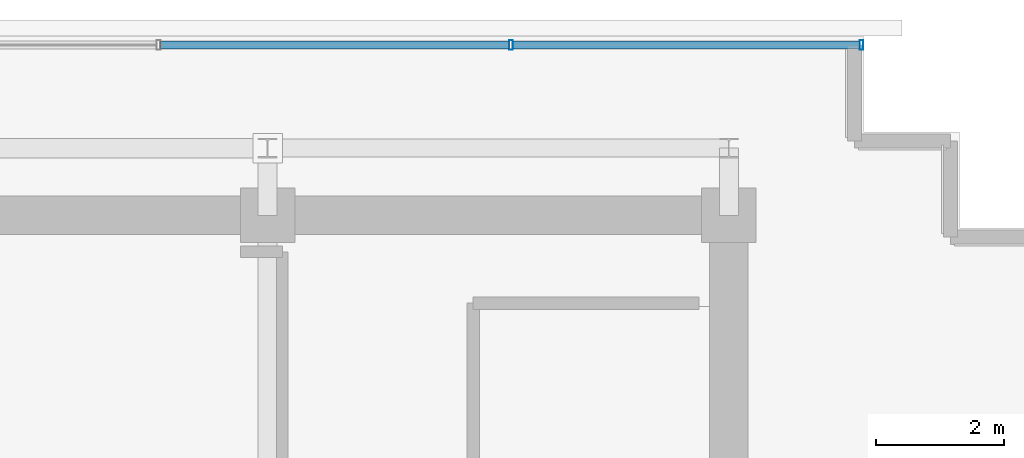
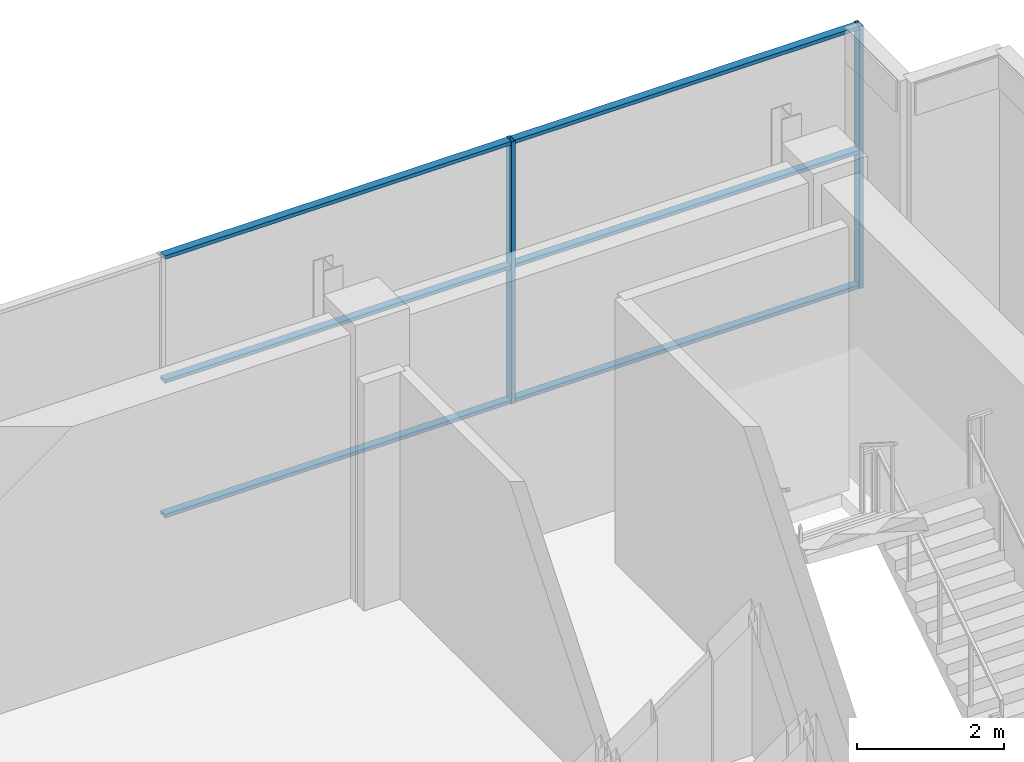
# One storey, part 21 of 26: 8 members, 1 element without a shape of its own.
"""IFC4 building model written with IfcOpenShell, lengths in metres."""

from ifc_helpers import new_model, si_unit, direction, frame, origin, origin_2d, place, context, subcontext, project, spatial, hollow_rectangle, extrude, source, transform, mapped, material, layer, layer_set, material_profile, profile_set, type_object, element, aggregate, save


model = new_model("IFC4")

# Units and contexts
model_context = context("Model", 3, precision=1e-05, world=origin(), true_north=direction((0.0, 1.0)))
body_context = subcontext(model_context, "Body", "Model", "MODEL_VIEW")
ifc_project = project(units=[si_unit("LENGTHUNIT", "METRE"), si_unit("AREAUNIT", "SQUARE_METRE"), si_unit("VOLUMEUNIT", "CUBIC_METRE"), si_unit("PLANEANGLEUNIT", "RADIAN"), si_unit("MASSUNIT", "GRAM", prefix="KILO")], contexts=[model_context])

# Site, building, storey
site_placement = place(None, origin())
site = spatial("IfcSite", under=ifc_project, at=site_placement, CompositionType="ELEMENT")
building_placement = place(site_placement, origin())
building = spatial("IfcBuilding", under=site, at=building_placement, Name="Zarnakvel Exchange Tower", CompositionType="ELEMENT")
storey_placement = place(building_placement, frame((0.0, 0.0, 280.800048828125)))
storey = spatial("IfcBuildingStorey", under=building, at=storey_placement, Name="Crown L79", CompositionType="ELEMENT", Elevation=280.800048828125)

# Curtain wall, members
ifc_material = material(Name="Architectural Bronze Anodised Aluminium", Category="aluminium")
ifc_layer = layer(ifc_material, 0.14990234375)
ifc_layer_set = layer_set([ifc_layer], Name="Architectural Bronze Anodised Aluminium")
curtain_wall_type = type_object("IfcCurtainWallType", Name="CW-07", PredefinedType="NOTDEFINED", material=ifc_layer_set)
curtain_wall_placement = place(storey_placement, origin())
curtain_wall = element("IfcCurtainWall", 1, at=curtain_wall_placement, inside=storey, type_object=curtain_wall_type, Name="Crown L79 Curtain Wall CW-Crown L79-N (CW-07)", PredefinedType="NOTDEFINED")
ifc_material_profile_1 = material_profile(ifc_material, hollow_rectangle(XDim=0.14990234375, YDim=0.06005859375, WallThickness=0.00390625, at=origin_2d()))
ifc_profile_set_1 = profile_set([ifc_material_profile_1], Name="Architectural Bronze Anodised Aluminium")
member_type_1 = type_object("IfcMemberType", Name="CWM-07", PredefinedType="MULLION", material=ifc_profile_set_1)
shared_shape_1 = source(origin(), body_context, "Body", "SweptSolid", [
    extrude(hollow_rectangle(XDim=0.14990234375, YDim=0.06005859375, WallThickness=0.00390625, at=origin_2d()), origin(), (0.0, 0.0, 1.0), 4.35986328125),
])
member_1_placement = place(storey_placement, frame((11.0, 16.159912109375, 0.0), z_axis=(0.0, 0.0, 1.0), x_axis=(0.0, 1.0, 0.0)))
member_1 = element("IfcMember", 2, at=member_1_placement, type_object=member_type_1, Name="CW-07 mullion 6", PredefinedType="MULLION", context=body_context, shape_type="MappedRepresentation", body=[
    mapped(shared_shape_1, transform((0.0, 0.0, 0.0), x_axis=(1.0, 0.0, 0.0), y_axis=(0.0, 1.0, 0.0), z_axis=(0.0, 0.0, 1.0), scale=1.0)),
])
member_2_placement = place(storey_placement, frame((16.469970703125, 16.159912109375, 0.0), z_axis=(0.0, 0.0, 1.0), x_axis=(0.0, 1.0, 0.0)))
member_2 = element("IfcMember", 3, at=member_2_placement, type_object=member_type_1, Name="CW-07 mullion 7", PredefinedType="MULLION", context=body_context, shape_type="MappedRepresentation", body=[
    mapped(shared_shape_1, transform((0.0, 0.0, 0.0), x_axis=(1.0, 0.0, 0.0), y_axis=(0.0, 1.0, 0.0), z_axis=(0.0, 0.0, 1.0), scale=1.0)),
])
ifc_material_profile_2 = material_profile(ifc_material, hollow_rectangle(XDim=0.1201171875, YDim=0.06005859375, WallThickness=0.00390625, at=origin_2d()))
ifc_profile_set_2 = profile_set([ifc_material_profile_2], Name="Architectural Bronze Anodised Aluminium")
member_type_2 = type_object("IfcMemberType", Name="CWT-07", PredefinedType="USERDEFINED", material=ifc_profile_set_2)
shared_shape_2 = source(origin(), body_context, "Body", "SweptSolid", [
    extrude(hollow_rectangle(XDim=0.1201171875, YDim=0.06005859375, WallThickness=0.00390625, at=origin_2d()), origin(), (0.0, 0.0, 1.0), 5.409912109375),
])
member_3_placement = place(storey_placement, frame((11.030029296875, 16.159912109375, 0.030029296875), z_axis=(1.0, 0.0, 0.0), x_axis=(0.0, 1.0, 0.0)))
member_3 = element("IfcMember", 4, at=member_3_placement, type_object=member_type_2, Name="CW-07 transom 6.1", ObjectType="TRANSOM", PredefinedType="USERDEFINED", context=body_context, shape_type="MappedRepresentation", body=[
    mapped(shared_shape_2, transform((0.0, 0.0, 0.0), x_axis=(1.0, 0.0, 0.0), y_axis=(0.0, 1.0, 0.0), z_axis=(0.0, 0.0, 1.0), scale=1.0)),
])
member_4_placement = place(storey_placement, frame((11.030029296875, 16.159912109375, 2.26708984375), z_axis=(1.0, 0.0, 0.0), x_axis=(0.0, 1.0, 0.0)))
member_4 = element("IfcMember", 5, at=member_4_placement, type_object=member_type_2, Name="CW-07 transom 6.2", ObjectType="TRANSOM", PredefinedType="USERDEFINED", context=body_context, shape_type="MappedRepresentation", body=[
    mapped(shared_shape_2, transform((0.0, 0.0, 0.0), x_axis=(1.0, 0.0, 0.0), y_axis=(0.0, 1.0, 0.0), z_axis=(0.0, 0.0, 1.0), scale=1.0)),
])
member_5_placement = place(storey_placement, frame((11.030029296875, 16.159912109375, 4.329833984375), z_axis=(1.0, 0.0, 0.0), x_axis=(0.0, 1.0, 0.0)))
member_5 = element("IfcMember", 6, at=member_5_placement, type_object=member_type_2, Name="CW-07 transom 6.3", ObjectType="TRANSOM", PredefinedType="USERDEFINED", context=body_context, shape_type="MappedRepresentation", body=[
    mapped(shared_shape_2, transform((0.0, 0.0, 0.0), x_axis=(1.0, 0.0, 0.0), y_axis=(0.0, 1.0, 0.0), z_axis=(0.0, 0.0, 1.0), scale=1.0)),
])
shared_shape_3 = source(origin(), body_context, "Body", "SweptSolid", [
    extrude(hollow_rectangle(XDim=0.1201171875, YDim=0.06005859375, WallThickness=0.00390625, at=origin_2d()), origin(), (0.0, 0.0, 1.0), 5.43994140625),
])
member_6_placement = place(storey_placement, frame((5.530029296875, 16.159912109375, 0.030029296875), z_axis=(1.0, 0.0, 0.0), x_axis=(0.0, 1.0, 0.0)))
member_6 = element("IfcMember", 7, at=member_6_placement, type_object=member_type_2, Name="CW-07 transom 5.1", ObjectType="TRANSOM", PredefinedType="USERDEFINED", context=body_context, shape_type="MappedRepresentation", body=[
    mapped(shared_shape_3, transform((0.0, 0.0, 0.0), x_axis=(1.0, 0.0, 0.0), y_axis=(0.0, 1.0, 0.0), z_axis=(0.0, 0.0, 1.0), scale=1.0)),
])
member_7_placement = place(storey_placement, frame((5.530029296875, 16.159912109375, 2.26708984375), z_axis=(1.0, 0.0, 0.0), x_axis=(0.0, 1.0, 0.0)))
member_7 = element("IfcMember", 8, at=member_7_placement, type_object=member_type_2, Name="CW-07 transom 5.2", ObjectType="TRANSOM", PredefinedType="USERDEFINED", context=body_context, shape_type="MappedRepresentation", body=[
    mapped(shared_shape_3, transform((0.0, 0.0, 0.0), x_axis=(1.0, 0.0, 0.0), y_axis=(0.0, 1.0, 0.0), z_axis=(0.0, 0.0, 1.0), scale=1.0)),
])
member_8_placement = place(storey_placement, frame((5.530029296875, 16.159912109375, 4.329833984375), z_axis=(1.0, 0.0, 0.0), x_axis=(0.0, 1.0, 0.0)))
member_8 = element("IfcMember", 9, at=member_8_placement, type_object=member_type_2, Name="CW-07 transom 5.3", ObjectType="TRANSOM", PredefinedType="USERDEFINED", context=body_context, shape_type="MappedRepresentation", body=[
    mapped(shared_shape_3, transform((0.0, 0.0, 0.0), x_axis=(1.0, 0.0, 0.0), y_axis=(0.0, 1.0, 0.0), z_axis=(0.0, 0.0, 1.0), scale=1.0)),
])
aggregate(curtain_wall, [member_1, member_2, member_6, member_7, member_8, member_3, member_4, member_5])

save(model, "model.ifc")
